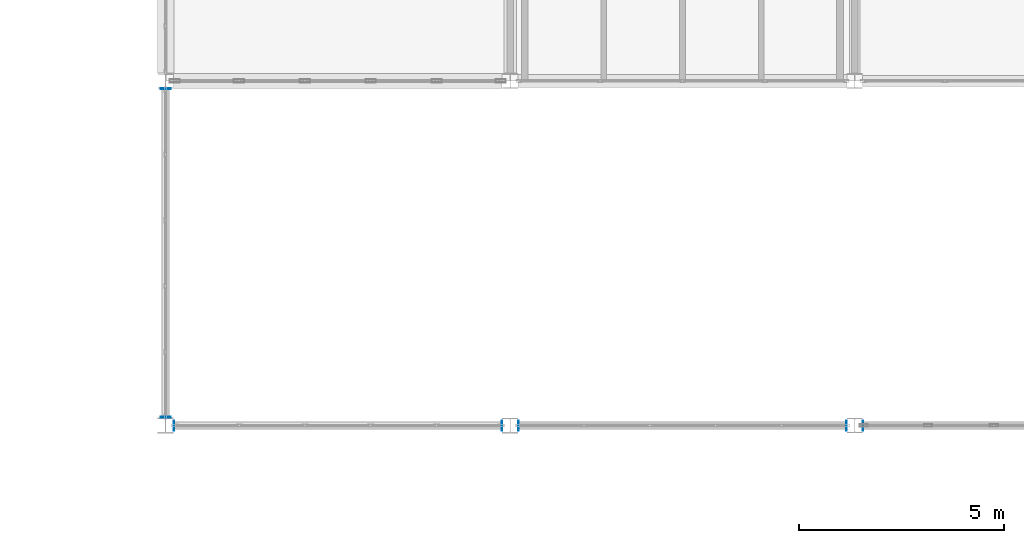
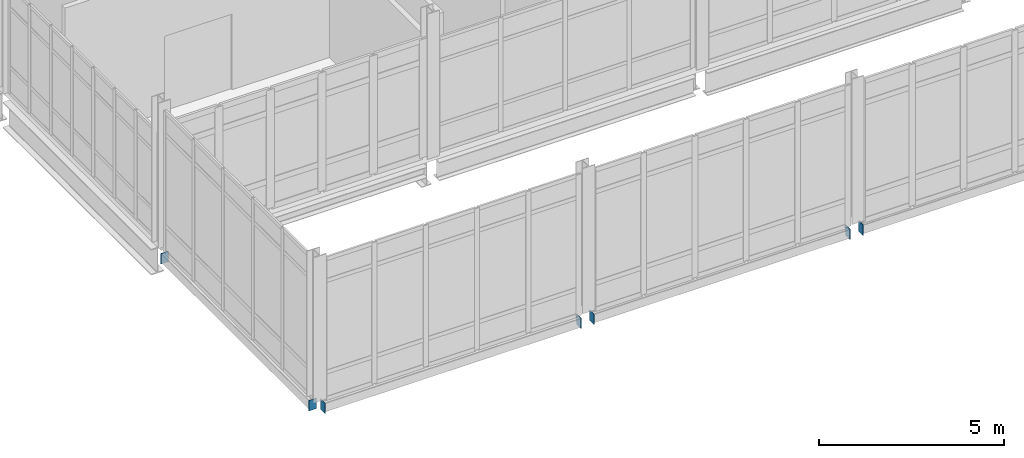
# One storey, part 134 of 186: 7 plates.
"""IFC4 building model written with IfcOpenShell, lengths in metres."""

from ifc_helpers import new_model, si_unit, direction, frame, origin, origin_2d, place, context, subcontext, project, spatial, rectangle, extrude, material, layer, layer_set, type_object, element, save


model = new_model("IFC4")

# Units and contexts
model_context = context("Model", 3, precision=1e-05, world=origin(), true_north=direction((0.0, 1.0)))
body_context = subcontext(model_context, "Body", "Model", "MODEL_VIEW")
ifc_project = project(units=[si_unit("LENGTHUNIT", "METRE"), si_unit("AREAUNIT", "SQUARE_METRE"), si_unit("VOLUMEUNIT", "CUBIC_METRE"), si_unit("PLANEANGLEUNIT", "RADIAN"), si_unit("MASSUNIT", "GRAM", prefix="KILO")], contexts=[model_context])

# Site, building, storey
site_placement = place(None, origin())
site = spatial("IfcSite", under=ifc_project, at=site_placement, CompositionType="ELEMENT")
building_placement = place(site_placement, origin())
building = spatial("IfcBuilding", under=site, at=building_placement, Name="Calvrana Isthmian Art Gallery", CompositionType="ELEMENT")
storey_placement = place(building_placement, frame((0.0, 0.0, 5.39990234375)))
storey = spatial("IfcBuildingStorey", under=building, at=storey_placement, Name="L01", CompositionType="ELEMENT", Elevation=5.39990234375)

# Plates
ifc_material = material(Name="Steel ASTM A572 Gr 50", Category="steel")
ifc_layer = layer(ifc_material, 0.01611328125, Name="Steel ASTM A572 Gr 50")
ifc_layer_set = layer_set([ifc_layer], Name="Steel ASTM A572 Gr 50")
plate_type = type_object("IfcPlateType", Name="PL-CAP-16", PredefinedType="SHEET", material=ifc_layer_set)
for number, where, z_axis, x_axis, name in (
    (1, (21.802001953125, 21.60009765625, -0.522216796875), (0.0, 0.0, 1.0), (1.0, 0.0, 0.0), "Hollow section end cap plate 538"),
    (2, (29.800537109375, 21.60009765625, -0.522216796875), (0.0, 0.0, 1.0), (1.0, 0.0, 0.0), "Hollow section end cap plate 539"),
    (3, (30.199462890625, 21.60009765625, -0.522216796875), (0.0, 0.0, 1.0), (1.0, 0.0, 0.0), "Hollow section end cap plate 540"),
    (4, (38.197021484375, 21.60009765625, -0.522216796875), (0.0, 0.0, 1.0), (1.0, 0.0, 0.0), "Hollow section end cap plate 541"),
    (5, (38.60302734375, 21.60009765625, -0.522216796875), (0.0, 0.0, 1.0), (1.0, 0.0, 0.0), "Hollow section end cap plate 542"),
):
    element("IfcPlate", number, at=place(storey_placement, frame(where, z_axis=z_axis, x_axis=x_axis)), inside=storey, type_object=plate_type, Name=name, PredefinedType="SHEET", context=body_context, shape_type="SweptSolid", body=[
        extrude(rectangle(XDim=0.01611328125, YDim=0.2431640625, at=origin_2d()), origin(), (0.0, 0.0, 1.0), 0.3447265625),
    ])
for number, where, z_axis, x_axis, name in (
    (6, (21.60009765625, 21.802978515625, -0.522216796875), (0.0, 0.0, 1.0), (1.0, 0.0, 0.0), "Hollow section end cap plate 548"),
    (7, (21.60009765625, 29.8095703125, -0.522216796875), (0.0, 0.0, 1.0), (1.0, 0.0, 0.0), "Hollow section end cap plate 549"),
):
    element("IfcPlate", number, at=place(storey_placement, frame(where, z_axis=z_axis, x_axis=x_axis)), inside=storey, type_object=plate_type, Name=name, PredefinedType="SHEET", context=body_context, shape_type="SweptSolid", body=[
        extrude(rectangle(XDim=0.2431640625, YDim=0.01611328125, at=origin_2d()), origin(), (0.0, 0.0, 1.0), 0.3447265625),
    ])

save(model, "model.ifc")
